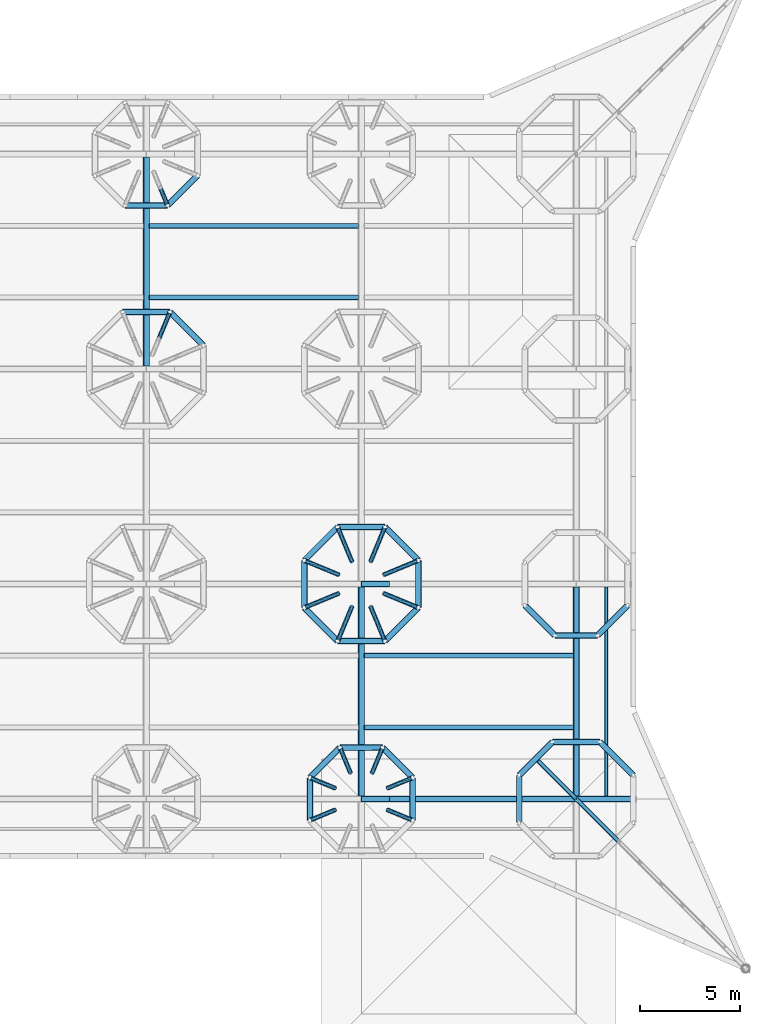
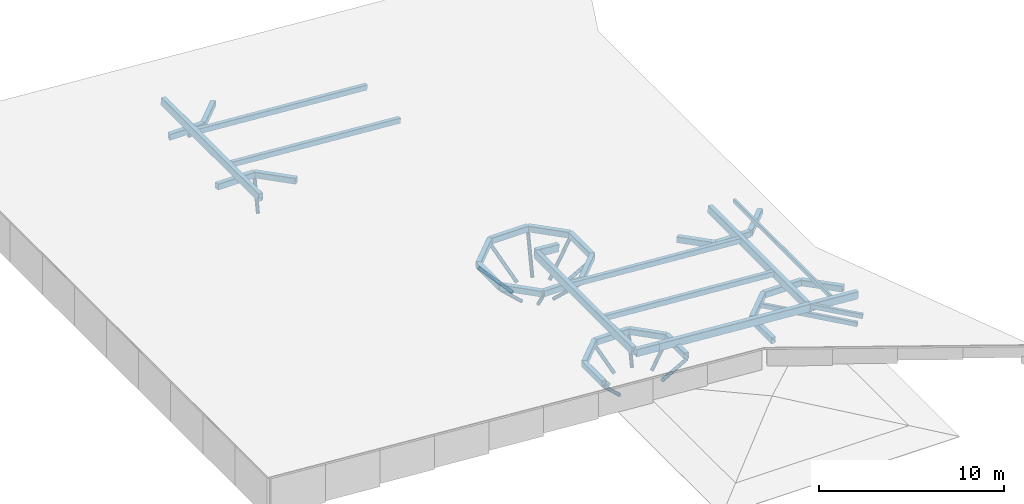
# One storey, part 39 of 95: 36 beams, 18 members.
"""IFC4 building model written with IfcOpenShell, lengths in metres."""

from ifc_helpers import new_model, si_unit, direction, frame, origin, origin_2d, place, context, subcontext, project, spatial, hollow_rectangle, hollow_circle, extrude, clip, halfspace, material, material_profile, profile_set, type_object, element, save


model = new_model("IFC4")

# Units and contexts
model_context = context("Model", 3, precision=1e-05, world=origin(), true_north=direction((0.0, 1.0)))
body_context = subcontext(model_context, "Body", "Model", "MODEL_VIEW")
ifc_project = project(units=[si_unit("LENGTHUNIT", "METRE"), si_unit("AREAUNIT", "SQUARE_METRE"), si_unit("VOLUMEUNIT", "CUBIC_METRE"), si_unit("PLANEANGLEUNIT", "RADIAN"), si_unit("MASSUNIT", "GRAM", prefix="KILO")], contexts=[model_context])

# Site, building, storey
site_placement = place(None, origin())
site = spatial("IfcSite", under=ifc_project, at=site_placement, CompositionType="ELEMENT")
building_placement = place(site_placement, origin())
building = spatial("IfcBuilding", under=site, at=building_placement, Name="Magnolia Steps Interchange", CompositionType="ELEMENT")
storey_placement = place(building_placement, frame((0.0, 0.0, 4.800048828125)))
storey = spatial("IfcBuildingStorey", under=building, at=storey_placement, Name="L01", CompositionType="ELEMENT", Elevation=4.800048828125)

# Beams
ifc_material_1 = material(Name="Steel Q355B", Category="steel")
ifc_material_profile_1 = material_profile(ifc_material_1, hollow_rectangle(XDim=0.300048828125, YDim=0.39990234375, WallThickness=0.013916015625, InnerFilletRadius=0.013916015625, OuterFilletRadius=0.028076171875, at=origin_2d()), Name="RHS400x300x14")
ifc_profile_set_1 = profile_set([ifc_material_profile_1], Name="Steel Q355B")
beam_type_1 = type_object("IfcBeamType", Name="Ring beam RHS400x300x14", PredefinedType="BEAM", material=ifc_profile_set_1)
beam_1_placement = place(storey_placement, frame((164.06396484375, 65.186279296875, 2.543701171875), z_axis=(-0.707106781187, 0.707106781187, 0.0), x_axis=(-0.707106781187, -0.707106781187, 0.0)))
element("IfcBeam", 1, at=beam_1_placement, inside=storey, type_object=beam_type_1, Name="Ring beam TC02C", PredefinedType="BEAM", context=body_context, shape_type="Clipping", body=[
    clip(clip(extrude(hollow_rectangle(XDim=0.300048828125, YDim=0.39990234375, WallThickness=0.013916015625, InnerFilletRadius=0.013916015625, OuterFilletRadius=0.028076171875, at=origin_2d()), origin(), (0.0, 0.0, 1.0), 2.37255859375), halfspace(frame((0.0, 0.0, 0.0), z_axis=(0.382683433, 0.0, -0.923879532), x_axis=(0.923879532, 0.0, 0.382683433)), False)), halfspace(frame((0.0, 0.0, 2.372674707), z_axis=(0.382683433, 0.0, 0.923879532), x_axis=(0.923879532, 0.0, -0.382683433)), False)),
])
beam_2_placement = place(storey_placement, frame((162.38623046875, 66.864013671875, 2.543701171875), z_axis=(-1.0, 0.0, 0.0), x_axis=(0.0, -1.0, 0.0)))
element("IfcBeam", 2, at=beam_2_placement, inside=storey, type_object=beam_type_1, Name="Ring beam TC02C", PredefinedType="BEAM", context=body_context, shape_type="Clipping", body=[
    clip(clip(extrude(hollow_rectangle(XDim=0.300048828125, YDim=0.39990234375, WallThickness=0.013916015625, InnerFilletRadius=0.013916015625, OuterFilletRadius=0.028076171875, at=origin_2d()), origin(), (0.0, 0.0, 1.0), 2.37255859375), halfspace(frame((0.0, 0.0, 0.0), z_axis=(0.382683432, 0.0, -0.923879533), x_axis=(0.923879533, 0.0, 0.382683432)), False)), halfspace(frame((0.0, 0.0, 2.372558594), z_axis=(0.382683432, 0.0, 0.923879533), x_axis=(0.923879533, 0.0, -0.382683432)), False)),
])
beam_3_placement = place(storey_placement, frame((160.13134765625, 72.219970703125, 2.543701171875), z_axis=(1.0, 0.0, 0.0), x_axis=(0.0, 1.0, 0.0)))
element("IfcBeam", 3, at=beam_3_placement, inside=storey, type_object=beam_type_1, Name="Ring beam TC02D", PredefinedType="BEAM", context=body_context, shape_type="Clipping", body=[
    clip(clip(extrude(hollow_rectangle(XDim=0.300048828125, YDim=0.39990234375, WallThickness=0.013916015625, InnerFilletRadius=0.013916015625, OuterFilletRadius=0.028076171875, at=origin_2d()), origin(), (0.0, 0.0, 1.0), 2.137451171875), halfspace(frame((0.0, 0.0, 0.0), z_axis=(0.382683432, 0.0, -0.923879533), x_axis=(0.923879533, 0.0, 0.382683432)), False)), halfspace(frame((0.0, 0.0, 2.137451172), z_axis=(0.382683432, 0.0, 0.923879533), x_axis=(0.923879533, 0.0, -0.382683432)), False)),
])
beam_4_placement = place(storey_placement, frame((162.268798828125, 72.219970703125, 2.543701171875), z_axis=(0.707106781187, 0.707106781187, 0.0), x_axis=(-0.707106781187, 0.707106781187, 0.0)))
element("IfcBeam", 4, at=beam_4_placement, inside=storey, type_object=beam_type_1, Name="Ring beam TC02D", PredefinedType="BEAM", context=body_context, shape_type="Clipping", body=[
    clip(clip(extrude(hollow_rectangle(XDim=0.300048828125, YDim=0.39990234375, WallThickness=0.013916015625, InnerFilletRadius=0.013916015625, OuterFilletRadius=0.028076171875, at=origin_2d()), origin(), (0.0, 0.0, 1.0), 2.13720703125), halfspace(frame((0.0, 0.0, 0.0), z_axis=(0.382683433, 0.0, -0.923879532), x_axis=(0.923879532, 0.0, 0.382683433)), False)), halfspace(frame((0.0, 0.0, 2.137202625), z_axis=(0.382683433, 0.0, 0.923879532), x_axis=(0.923879532, 0.0, -0.382683433)), False)),
])
beam_5_placement = place(storey_placement, frame((174.580078125, 43.46875, 1.756103515625), z_axis=(-0.707163891131, 0.707049666629, 0.0), x_axis=(-0.707049666629, -0.707163891131, 0.0)))
element("IfcBeam", 5, at=beam_5_placement, inside=storey, type_object=beam_type_1, Name="Ring beam TC03A", PredefinedType="BEAM", context=body_context, shape_type="Clipping", body=[
    clip(clip(extrude(hollow_rectangle(XDim=0.300048828125, YDim=0.39990234375, WallThickness=0.013916015625, InnerFilletRadius=0.013916015625, OuterFilletRadius=0.028076171875, at=origin_2d()), origin(), (0.0, 0.0, 1.0), 2.137451171875), halfspace(frame((0.0, 0.0, 0.0), z_axis=(0.382758052, 0.0, -0.92384862), x_axis=(0.923848621, 0.0, 0.382758052)), False)), halfspace(frame((0.0, 0.0, 2.137375265), z_axis=(0.382608811, 0.0, 0.923910438), x_axis=(0.923910438, 0.0, -0.382608811)), False)),
])
beam_6_placement = place(storey_placement, frame((173.068603515625, 44.97998046875, 1.756103515625), z_axis=(-1.0, 0.0, 0.0), x_axis=(0.0, -1.0, 0.0)))
element("IfcBeam", 6, at=beam_6_placement, inside=storey, type_object=beam_type_1, Name="Ring beam TC03A", PredefinedType="BEAM", context=body_context, shape_type="Clipping", body=[
    clip(clip(extrude(hollow_rectangle(XDim=0.300048828125, YDim=0.39990234375, WallThickness=0.013916015625, InnerFilletRadius=0.013916015625, OuterFilletRadius=0.028076171875, at=origin_2d()), origin(), (0.0, 0.0, 1.0), 2.13720703125), halfspace(frame((0.0, 0.0, 0.0), z_axis=(0.382683432, 0.0, -0.923879533), x_axis=(0.923879533, 0.0, 0.382683432)), False)), halfspace(frame((0.0, 0.0, 2.137207031), z_axis=(0.382683432, 0.0, 0.923879533), x_axis=(0.923879533, 0.0, -0.382683432)), False)),
])
beam_7_placement = place(storey_placement, frame((170.931396484375, 44.97998046875, 1.756103515625), z_axis=(-0.707163891131, -0.707049666629, 0.0), x_axis=(0.707049666629, -0.707163891131, 0.0)))
element("IfcBeam", 7, at=beam_7_placement, inside=storey, type_object=beam_type_1, Name="Ring beam TC03A", PredefinedType="BEAM", context=body_context, shape_type="Clipping", body=[
    clip(clip(extrude(hollow_rectangle(XDim=0.300048828125, YDim=0.39990234375, WallThickness=0.013916015625, InnerFilletRadius=0.013916015625, OuterFilletRadius=0.028076171875, at=origin_2d()), origin(), (0.0, 0.0, 1.0), 2.137451171875), halfspace(frame((0.0, 0.0, 0.0), z_axis=(0.382608811, 0.0, -0.923910438), x_axis=(0.923910438, 0.0, 0.382608811)), False)), halfspace(frame((0.0, 0.0, 2.137375265), z_axis=(0.382758052, 0.0, 0.92384862), x_axis=(0.923848621, 0.0, -0.382758052)), False)),
])
for number, where, z_axis, x_axis, name in (
    (8, (169.419921875, 43.46875, 1.756103515625), (0.0, -1.0, 0.0), (1.0, 0.0, 0.0), "Ring beam TC03A"),
    (9, (174.580078125, 41.331298828125, 1.756103515625), (0.0, 1.0, 0.0), (-1.0, 0.0, 0.0), "Ring beam TC03A"),
):
    element("IfcBeam", number, at=place(storey_placement, frame(where, z_axis=z_axis, x_axis=x_axis)), inside=storey, type_object=beam_type_1, Name=name, PredefinedType="BEAM", context=body_context, shape_type="Clipping", body=[
        clip(clip(extrude(hollow_rectangle(XDim=0.300048828125, YDim=0.39990234375, WallThickness=0.013916015625, InnerFilletRadius=0.013916015625, OuterFilletRadius=0.028076171875, at=origin_2d()), origin(), (0.0, 0.0, 1.0), 2.137451171875), halfspace(frame((0.0, 0.0, 0.0), z_axis=(0.382683432, 0.0, -0.923879533), x_axis=(0.923879533, 0.0, 0.382683432)), False)), halfspace(frame((0.0, 0.0, 2.137451172), z_axis=(0.382683432, 0.0, 0.923879533), x_axis=(0.923879533, 0.0, -0.382683432)), False)),
    ])
beam_8_placement = place(storey_placement, frame((174.864013671875, 54.38623046875, 1.756103515625), z_axis=(-0.707106781187, 0.707106781187, 0.0), x_axis=(-0.707106781187, -0.707106781187, 0.0)))
element("IfcBeam", 10, at=beam_8_placement, inside=storey, type_object=beam_type_1, Name="Ring beam TC03B", PredefinedType="BEAM", context=body_context, shape_type="Clipping", body=[
    clip(clip(extrude(hollow_rectangle(XDim=0.300048828125, YDim=0.39990234375, WallThickness=0.013916015625, InnerFilletRadius=0.013916015625, OuterFilletRadius=0.028076171875, at=origin_2d()), origin(), (0.0, 0.0, 1.0), 2.37255859375), halfspace(frame((0.0, 0.0, 0.0), z_axis=(0.382683433, 0.0, -0.923879532), x_axis=(0.923879532, 0.0, 0.382683433)), False)), halfspace(frame((0.0, 0.0, 2.372674707), z_axis=(0.382683433, 0.0, 0.923879532), x_axis=(0.923879532, 0.0, -0.382683433)), False)),
])
beam_9_placement = place(storey_placement, frame((173.186279296875, 56.06396484375, 1.756103515625), z_axis=(-1.0, 0.0, 0.0), x_axis=(0.0, -1.0, 0.0)))
element("IfcBeam", 11, at=beam_9_placement, inside=storey, type_object=beam_type_1, Name="Ring beam TC03B", PredefinedType="BEAM", context=body_context, shape_type="Clipping", body=[
    clip(clip(extrude(hollow_rectangle(XDim=0.300048828125, YDim=0.39990234375, WallThickness=0.013916015625, InnerFilletRadius=0.013916015625, OuterFilletRadius=0.028076171875, at=origin_2d()), origin(), (0.0, 0.0, 1.0), 2.37255859375), halfspace(frame((0.0, 0.0, 0.0), z_axis=(0.382683432, 0.0, -0.923879533), x_axis=(0.923879533, 0.0, 0.382683432)), False)), halfspace(frame((0.0, 0.0, 2.372558594), z_axis=(0.382683432, 0.0, 0.923879533), x_axis=(0.923879533, 0.0, -0.382683432)), False)),
])
beam_10_placement = place(storey_placement, frame((170.813720703125, 56.06396484375, 1.756103515625), z_axis=(-0.707106781187, -0.707106781187, 0.0), x_axis=(0.707106781187, -0.707106781187, 0.0)))
element("IfcBeam", 12, at=beam_10_placement, inside=storey, type_object=beam_type_1, Name="Ring beam TC03B", PredefinedType="BEAM", context=body_context, shape_type="Clipping", body=[
    clip(clip(extrude(hollow_rectangle(XDim=0.300048828125, YDim=0.39990234375, WallThickness=0.013916015625, InnerFilletRadius=0.013916015625, OuterFilletRadius=0.028076171875, at=origin_2d()), origin(), (0.0, 0.0, 1.0), 2.37255859375), halfspace(frame((0.0, 0.0, 0.0), z_axis=(0.382683433, 0.0, -0.923879532), x_axis=(0.923879532, 0.0, 0.382683433)), False)), halfspace(frame((0.0, 0.0, 2.372674707), z_axis=(0.382683433, 0.0, 0.923879532), x_axis=(0.923879532, 0.0, -0.382683433)), False)),
])
beam_11_placement = place(storey_placement, frame((169.135986328125, 54.38623046875, 1.756103515625), z_axis=(0.0, -1.0, 0.0), x_axis=(1.0, 0.0, 0.0)))
element("IfcBeam", 13, at=beam_11_placement, inside=storey, type_object=beam_type_1, Name="Ring beam TC03B", PredefinedType="BEAM", context=body_context, shape_type="Clipping", body=[
    clip(clip(extrude(hollow_rectangle(XDim=0.300048828125, YDim=0.39990234375, WallThickness=0.013916015625, InnerFilletRadius=0.013916015625, OuterFilletRadius=0.028076171875, at=origin_2d()), origin(), (0.0, 0.0, 1.0), 2.37255859375), halfspace(frame((0.0, 0.0, 0.0), z_axis=(0.382683432, 0.0, -0.923879533), x_axis=(0.923879533, 0.0, 0.382683432)), False)), halfspace(frame((0.0, 0.0, 2.372558594), z_axis=(0.382683432, 0.0, 0.923879533), x_axis=(0.923879533, 0.0, -0.382683432)), False)),
])
beam_12_placement = place(storey_placement, frame((169.135986328125, 52.013671875, 1.756103515625), z_axis=(0.707106781187, -0.707106781187, 0.0), x_axis=(0.707106781187, 0.707106781187, 0.0)))
element("IfcBeam", 14, at=beam_12_placement, inside=storey, type_object=beam_type_1, Name="Ring beam TC03B", PredefinedType="BEAM", context=body_context, shape_type="Clipping", body=[
    clip(clip(extrude(hollow_rectangle(XDim=0.300048828125, YDim=0.39990234375, WallThickness=0.013916015625, InnerFilletRadius=0.013916015625, OuterFilletRadius=0.028076171875, at=origin_2d()), origin(), (0.0, 0.0, 1.0), 2.37255859375), halfspace(frame((0.0, 0.0, 0.0), z_axis=(0.382683433, 0.0, -0.923879532), x_axis=(0.923879532, 0.0, 0.382683433)), False)), halfspace(frame((0.0, 0.0, 2.372674707), z_axis=(0.382683433, 0.0, 0.923879532), x_axis=(0.923879532, 0.0, -0.382683433)), False)),
])
beam_13_placement = place(storey_placement, frame((170.813720703125, 50.3359375, 1.756103515625), z_axis=(1.0, 0.0, 0.0), x_axis=(0.0, 1.0, 0.0)))
element("IfcBeam", 15, at=beam_13_placement, inside=storey, type_object=beam_type_1, Name="Ring beam TC03B", PredefinedType="BEAM", context=body_context, shape_type="Clipping", body=[
    clip(clip(extrude(hollow_rectangle(XDim=0.300048828125, YDim=0.39990234375, WallThickness=0.013916015625, InnerFilletRadius=0.013916015625, OuterFilletRadius=0.028076171875, at=origin_2d()), origin(), (0.0, 0.0, 1.0), 2.37255859375), halfspace(frame((0.0, 0.0, 0.0), z_axis=(0.382683432, 0.0, -0.923879533), x_axis=(0.923879533, 0.0, 0.382683432)), False)), halfspace(frame((0.0, 0.0, 2.372558594), z_axis=(0.382683432, 0.0, 0.923879533), x_axis=(0.923879533, 0.0, -0.382683432)), False)),
])
beam_14_placement = place(storey_placement, frame((173.186279296875, 50.3359375, 1.756103515625), z_axis=(0.707106781187, 0.707106781187, 0.0), x_axis=(-0.707106781187, 0.707106781187, 0.0)))
element("IfcBeam", 16, at=beam_14_placement, inside=storey, type_object=beam_type_1, Name="Ring beam TC03B", PredefinedType="BEAM", context=body_context, shape_type="Clipping", body=[
    clip(clip(extrude(hollow_rectangle(XDim=0.300048828125, YDim=0.39990234375, WallThickness=0.013916015625, InnerFilletRadius=0.013916015625, OuterFilletRadius=0.028076171875, at=origin_2d()), origin(), (0.0, 0.0, 1.0), 2.37255859375), halfspace(frame((0.0, 0.0, 0.0), z_axis=(0.382683433, 0.0, -0.923879532), x_axis=(0.923879532, 0.0, 0.382683433)), False)), halfspace(frame((0.0, 0.0, 2.372674707), z_axis=(0.382683433, 0.0, 0.923879532), x_axis=(0.923879532, 0.0, -0.382683433)), False)),
])
beam_15_placement = place(storey_placement, frame((174.864013671875, 52.013671875, 1.756103515625), z_axis=(0.0, 1.0, 0.0), x_axis=(-1.0, 0.0, 0.0)))
element("IfcBeam", 17, at=beam_15_placement, inside=storey, type_object=beam_type_1, Name="Ring beam TC03B", PredefinedType="BEAM", context=body_context, shape_type="Clipping", body=[
    clip(clip(extrude(hollow_rectangle(XDim=0.300048828125, YDim=0.39990234375, WallThickness=0.013916015625, InnerFilletRadius=0.013916015625, OuterFilletRadius=0.028076171875, at=origin_2d()), origin(), (0.0, 0.0, 1.0), 2.37255859375), halfspace(frame((0.0, 0.0, 0.0), z_axis=(0.382683432, 0.0, -0.923879533), x_axis=(0.923879533, 0.0, 0.382683432)), False)), halfspace(frame((0.0, 0.0, 2.372558594), z_axis=(0.382683432, 0.0, 0.923879533), x_axis=(0.923879533, 0.0, -0.382683432)), False)),
])
beam_16_placement = place(storey_placement, frame((185.6640625, 43.586181640625, 0.96875), z_axis=(-0.707106781187, 0.707106781187, 0.0), x_axis=(-0.707106781187, -0.707106781187, 0.0)))
element("IfcBeam", 18, at=beam_16_placement, inside=storey, type_object=beam_type_1, Name="Ring beam TC04A", PredefinedType="BEAM", context=body_context, shape_type="Clipping", body=[
    clip(clip(extrude(hollow_rectangle(XDim=0.300048828125, YDim=0.39990234375, WallThickness=0.013916015625, InnerFilletRadius=0.013916015625, OuterFilletRadius=0.028076171875, at=origin_2d()), origin(), (0.0, 0.0, 1.0), 2.37255859375), halfspace(frame((0.0, 0.0, 0.0), z_axis=(0.382683433, 0.0, -0.923879532), x_axis=(0.923879532, 0.0, 0.382683433)), False)), halfspace(frame((0.0, 0.0, 2.372674707), z_axis=(0.382683433, 0.0, 0.923879532), x_axis=(0.923879532, 0.0, -0.382683433)), False)),
])
beam_17_placement = place(storey_placement, frame((183.986328125, 45.263916015625, 0.96875), z_axis=(-1.0, 0.0, 0.0), x_axis=(0.0, -1.0, 0.0)))
element("IfcBeam", 19, at=beam_17_placement, inside=storey, type_object=beam_type_1, Name="Ring beam TC04A", PredefinedType="BEAM", context=body_context, shape_type="Clipping", body=[
    clip(clip(extrude(hollow_rectangle(XDim=0.300048828125, YDim=0.39990234375, WallThickness=0.013916015625, InnerFilletRadius=0.013916015625, OuterFilletRadius=0.028076171875, at=origin_2d()), origin(), (0.0, 0.0, 1.0), 2.37255859375), halfspace(frame((0.0, 0.0, 0.0), z_axis=(0.382683432, 0.0, -0.923879533), x_axis=(0.923879533, 0.0, 0.382683432)), False)), halfspace(frame((0.0, 0.0, 2.372558594), z_axis=(0.382683432, 0.0, 0.923879533), x_axis=(0.923879533, 0.0, -0.382683432)), False)),
])
beam_18_placement = place(storey_placement, frame((181.61376953125, 45.263916015625, 0.96875), z_axis=(-0.707106781187, -0.707106781187, 0.0), x_axis=(0.707106781187, -0.707106781187, 0.0)))
element("IfcBeam", 20, at=beam_18_placement, inside=storey, type_object=beam_type_1, Name="Ring beam TC04A", PredefinedType="BEAM", context=body_context, shape_type="Clipping", body=[
    clip(clip(extrude(hollow_rectangle(XDim=0.300048828125, YDim=0.39990234375, WallThickness=0.013916015625, InnerFilletRadius=0.013916015625, OuterFilletRadius=0.028076171875, at=origin_2d()), origin(), (0.0, 0.0, 1.0), 2.37255859375), halfspace(frame((0.0, 0.0, 0.0), z_axis=(0.382683433, 0.0, -0.923879532), x_axis=(0.923879532, 0.0, 0.382683433)), False)), halfspace(frame((0.0, 0.0, 2.372674707), z_axis=(0.382683433, 0.0, 0.923879532), x_axis=(0.923879532, 0.0, -0.382683433)), False)),
])
beam_19_placement = place(storey_placement, frame((179.93603515625, 43.586181640625, 0.96875), z_axis=(0.0, -1.0, 0.0), x_axis=(1.0, 0.0, 0.0)))
element("IfcBeam", 21, at=beam_19_placement, inside=storey, type_object=beam_type_1, Name="Ring beam TC04A", PredefinedType="BEAM", context=body_context, shape_type="Clipping", body=[
    clip(clip(extrude(hollow_rectangle(XDim=0.300048828125, YDim=0.39990234375, WallThickness=0.013916015625, InnerFilletRadius=0.013916015625, OuterFilletRadius=0.028076171875, at=origin_2d()), origin(), (0.0, 0.0, 1.0), 2.37255859375), halfspace(frame((0.0, 0.0, 0.0), z_axis=(0.382683432, 0.0, -0.923879533), x_axis=(0.923879533, 0.0, 0.382683432)), False)), halfspace(frame((0.0, 0.0, 2.372558594), z_axis=(0.382683432, 0.0, 0.923879533), x_axis=(0.923879533, 0.0, -0.382683432)), False)),
])
beam_20_placement = place(storey_placement, frame((180.219970703125, 52.13134765625, 0.96875), z_axis=(0.707106781187, -0.707106781187, 0.0), x_axis=(0.707106781187, 0.707106781187, 0.0)))
element("IfcBeam", 22, at=beam_20_placement, inside=storey, type_object=beam_type_1, Name="Ring beam TC04B", PredefinedType="BEAM", context=body_context, shape_type="Clipping", body=[
    clip(clip(extrude(hollow_rectangle(XDim=0.300048828125, YDim=0.39990234375, WallThickness=0.013916015625, InnerFilletRadius=0.013916015625, OuterFilletRadius=0.028076171875, at=origin_2d()), origin(), (0.0, 0.0, 1.0), 2.13720703125), halfspace(frame((0.0, 0.0, 0.0), z_axis=(0.382683433, 0.0, -0.923879532), x_axis=(0.923879532, 0.0, 0.382683433)), False)), halfspace(frame((0.0, 0.0, 2.137202625), z_axis=(0.382683433, 0.0, 0.923879532), x_axis=(0.923879532, 0.0, -0.382683433)), False)),
])
beam_21_placement = place(storey_placement, frame((181.731201171875, 50.6201171875, 0.96875), z_axis=(1.0, 0.0, 0.0), x_axis=(0.0, 1.0, 0.0)))
element("IfcBeam", 23, at=beam_21_placement, inside=storey, type_object=beam_type_1, Name="Ring beam TC04B", PredefinedType="BEAM", context=body_context, shape_type="Clipping", body=[
    clip(clip(extrude(hollow_rectangle(XDim=0.300048828125, YDim=0.39990234375, WallThickness=0.013916015625, InnerFilletRadius=0.013916015625, OuterFilletRadius=0.028076171875, at=origin_2d()), origin(), (0.0, 0.0, 1.0), 2.137451171875), halfspace(frame((0.0, 0.0, 0.0), z_axis=(0.382683432, 0.0, -0.923879533), x_axis=(0.923879533, 0.0, 0.382683432)), False)), halfspace(frame((0.0, 0.0, 2.137451172), z_axis=(0.382683432, 0.0, 0.923879533), x_axis=(0.923879533, 0.0, -0.382683432)), False)),
])
beam_22_placement = place(storey_placement, frame((183.86865234375, 50.6201171875, 0.96875), z_axis=(0.707106781187, 0.707106781187, 0.0), x_axis=(-0.707106781187, 0.707106781187, 0.0)))
element("IfcBeam", 24, at=beam_22_placement, inside=storey, type_object=beam_type_1, Name="Ring beam TC04B", PredefinedType="BEAM", context=body_context, shape_type="Clipping", body=[
    clip(clip(extrude(hollow_rectangle(XDim=0.300048828125, YDim=0.39990234375, WallThickness=0.013916015625, InnerFilletRadius=0.013916015625, OuterFilletRadius=0.028076171875, at=origin_2d()), origin(), (0.0, 0.0, 1.0), 2.13720703125), halfspace(frame((0.0, 0.0, 0.0), z_axis=(0.382683433, 0.0, -0.923879532), x_axis=(0.923879532, 0.0, 0.382683433)), False)), halfspace(frame((0.0, 0.0, 2.137202625), z_axis=(0.382683433, 0.0, 0.923879532), x_axis=(0.923879532, 0.0, -0.382683433)), False)),
])
ifc_material_2 = material(Name="Steel Q355B", Category="steel")
ifc_material_profile_2 = material_profile(ifc_material_2, hollow_rectangle(XDim=0.300048828125, YDim=0.5, WallThickness=0.01611328125, InnerFilletRadius=0.01611328125, OuterFilletRadius=0.031982421875, at=origin_2d()), Name="RHS500x300x16")
ifc_profile_set_2 = profile_set([ifc_material_profile_2], Name="Steel Q355B")
beam_type_2 = type_object("IfcBeamType", Name="Roof beam RHS500x300x16", PredefinedType="BEAM", material=ifc_profile_set_2)
beam_23_placement = place(storey_placement, frame((172.0, 42.39990234375, 2.25537109375), z_axis=(0.99734082034, 0.0, -0.072878584535), x_axis=(0.0, 1.0, 0.0)))
element("IfcBeam", 25, at=beam_23_placement, inside=storey, type_object=beam_type_2, Name="Roof beam", PredefinedType="BEAM", context=body_context, shape_type="SweptSolid", body=[
    extrude(hollow_rectangle(XDim=0.300048828125, YDim=0.5, WallThickness=0.01611328125, InnerFilletRadius=0.01611328125, OuterFilletRadius=0.031982421875, at=origin_2d()), origin(), (0.0, 0.0, 1.0), 1.403564453125),
])
beam_24_placement = place(storey_placement, frame((173.39990234375, 42.39990234375, 2.153076171875), z_axis=(0.997353092785, 0.0, -0.072710441562), x_axis=(0.0, 1.0, 0.0)))
element("IfcBeam", 26, at=beam_24_placement, inside=storey, type_object=beam_type_2, Name="Roof beam", PredefinedType="BEAM", context=body_context, shape_type="SweptSolid", body=[
    extrude(hollow_rectangle(XDim=0.300048828125, YDim=0.5, WallThickness=0.01611328125, InnerFilletRadius=0.01611328125, OuterFilletRadius=0.031982421875, at=origin_2d()), origin(), (0.0, 0.0, 1.0), 9.425048828125),
])
beam_25_placement = place(storey_placement, frame((182.800048828125, 42.39990234375, 1.4677734375), z_axis=(0.997352133906, 0.0, -0.072723593097), x_axis=(0.0, 1.0, 0.0)))
element("IfcBeam", 27, at=beam_25_placement, inside=storey, type_object=beam_type_2, Name="Roof beam", PredefinedType="BEAM", context=body_context, shape_type="SweptSolid", body=[
    extrude(hollow_rectangle(XDim=0.300048828125, YDim=0.5, WallThickness=0.01611328125, InnerFilletRadius=0.01611328125, OuterFilletRadius=0.031982421875, at=origin_2d()), origin(), (0.0, 0.0, 1.0), 3.008056640625),
])
beam_26_placement = place(storey_placement, frame((172.0, 53.199951171875, 2.25537109375), z_axis=(0.99734082034, 0.0, -0.072878584535), x_axis=(0.0, 1.0, 0.0)))
element("IfcBeam", 28, at=beam_26_placement, inside=storey, type_object=beam_type_2, Name="Roof beam", PredefinedType="BEAM", context=body_context, shape_type="SweptSolid", body=[
    extrude(hollow_rectangle(XDim=0.300048828125, YDim=0.5, WallThickness=0.01611328125, InnerFilletRadius=0.01611328125, OuterFilletRadius=0.031982421875, at=origin_2d()), origin(), (0.0, 0.0, 1.0), 1.403564453125),
])
for number, where, z_axis, x_axis, name in (
    (29, (161.199951171875, 64.14990234375, 3.042724609375), (0.0, 1.0, 0.0), (-0.997352109794, 0.0, 0.072723923782), "Roof beam"),
    (30, (172.0, 42.550048828125, 2.25537109375), (0.0, 1.0, 0.0), (-0.997352109794, 0.0, 0.072723923782), "Roof beam"),
    (31, (182.800048828125, 42.550048828125, 1.4677734375), (0.0, 1.0, 0.0), (-0.997352109794, 0.0, 0.072723923782), "Roof beam"),
):
    element("IfcBeam", number, at=place(storey_placement, frame(where, z_axis=z_axis, x_axis=x_axis)), inside=storey, type_object=beam_type_2, Name=name, PredefinedType="BEAM", context=body_context, shape_type="SweptSolid", body=[
        extrude(hollow_rectangle(XDim=0.300048828125, YDim=0.5, WallThickness=0.01611328125, InnerFilletRadius=0.01611328125, OuterFilletRadius=0.031982421875, at=origin_2d()), origin(), (0.0, 0.0, 1.0), 10.5),
    ])
ifc_material_3 = material(Name="Steel Q355B", Category="steel")
ifc_material_profile_3 = material_profile(ifc_material_3, hollow_rectangle(XDim=0.14990234375, YDim=0.25, WallThickness=0.008056640625, InnerFilletRadius=0.008056640625, OuterFilletRadius=0.01611328125, at=origin_2d()), Name="RHS250x150x8")
ifc_profile_set_3 = profile_set([ifc_material_profile_3], Name="Steel Q355B")
beam_type_3 = type_object("IfcBeamType", Name="Roof edge joist RHS250x150x8", PredefinedType="BEAM", material=ifc_profile_set_3)
beam_27_placement = place(storey_placement, frame((184.300048828125, 42.550048828125, 1.483642578125), z_axis=(0.0, 1.0, 0.0), x_axis=(-0.997352109794, 0.0, 0.072723923782)))
element("IfcBeam", 32, at=beam_27_placement, inside=storey, type_object=beam_type_3, Name="Roof edge joist", PredefinedType="BEAM", context=body_context, shape_type="SweptSolid", body=[
    extrude(hollow_rectangle(XDim=0.14990234375, YDim=0.25, WallThickness=0.008056640625, InnerFilletRadius=0.008056640625, OuterFilletRadius=0.01611328125, at=origin_2d()), origin(), (0.0, 0.0, 1.0), 10.5),
])
ifc_material_4 = material(Name="Steel Q355B", Category="steel")
ifc_material_profile_4 = material_profile(ifc_material_4, hollow_rectangle(XDim=0.25, YDim=0.35009765625, WallThickness=0.011962890625, InnerFilletRadius=0.011962890625, OuterFilletRadius=0.02392578125, at=origin_2d()), Name="RHS350x250x12")
ifc_profile_set_4 = profile_set([ifc_material_profile_4], Name="Steel Q355B")
beam_type_4 = type_object("IfcBeamType", Name="Roof joist RHS350x250x12", PredefinedType="BEAM", material=ifc_profile_set_4)
for number, where, z_axis, x_axis, name in (
    (33, (172.14990234375, 46.0, 2.3193359375), (0.997353815631, 0.0, -0.072700525763), (0.0, 1.0, 0.0), "Roof joist"),
    (34, (172.14990234375, 49.60009765625, 2.3193359375), (0.997353815631, 0.0, -0.072700525763), (0.0, 1.0, 0.0), "Roof joist"),
    (35, (161.35009765625, 67.60009765625, 3.10693359375), (0.997352133906, 0.0, -0.072723593097), (0.0, 1.0, 0.0), "Roof joist"),
    (36, (161.35009765625, 71.199951171875, 3.10693359375), (0.997352133906, 0.0, -0.072723593097), (0.0, 1.0, 0.0), "Roof joist"),
):
    element("IfcBeam", number, at=place(storey_placement, frame(where, z_axis=z_axis, x_axis=x_axis)), inside=storey, type_object=beam_type_4, Name=name, PredefinedType="BEAM", context=body_context, shape_type="SweptSolid", body=[
        extrude(hollow_rectangle(XDim=0.25, YDim=0.35009765625, WallThickness=0.011962890625, InnerFilletRadius=0.011962890625, OuterFilletRadius=0.02392578125, at=origin_2d()), origin(), (0.0, 0.0, 1.0), 10.52783203125),
    ])

# Members
ifc_material_5 = material(Name="Steel Q355B", Category="steel")
ifc_material_profile_5 = material_profile(ifc_material_5, hollow_rectangle(XDim=0.199951171875, YDim=0.300048828125, WallThickness=0.011962890625, InnerFilletRadius=0.011962890625, OuterFilletRadius=0.02392578125, at=origin_2d()), Name="RHS300x200x12")
ifc_profile_set_5 = profile_set([ifc_material_profile_5], Name="Steel Q355B")
member_type_1 = type_object("IfcMemberType", Name="Roof truss RHS300x200x12", PredefinedType="USERDEFINED", material=ifc_profile_set_5)
member_1_placement = place(storey_placement, frame((182.800048828125, 42.39990234375, 1.56787109375), z_axis=(0.706170197187, -0.706170197187, -0.051451969918), x_axis=(0.704300336597, 0.708042125736, -0.051355467605)))
element("IfcMember", 37, at=member_1_placement, inside=storey, type_object=member_type_1, Name="Spike truss SP-C-SE top chord", ObjectType="Roof truss", PredefinedType="USERDEFINED", context=body_context, shape_type="SweptSolid", body=[
    extrude(hollow_rectangle(XDim=0.199951171875, YDim=0.300048828125, WallThickness=0.011962890625, InnerFilletRadius=0.011962890625, OuterFilletRadius=0.02392578125, at=origin_2d()), origin(), (0.0, 0.0, 1.0), 3.017822265625),
])
member_2_placement = place(storey_placement, frame((180.880859375, 44.319091796875, 1.10791015625), z_axis=(0.706169284918, -0.706169284918, -0.051477005312), x_axis=(0.704299426261, 0.708043036072, -0.051355401261)))
element("IfcMember", 38, at=member_2_placement, inside=storey, type_object=member_type_1, Name="Spike truss SP-C-SE bottom chord", ObjectType="Roof truss", PredefinedType="USERDEFINED", context=body_context, shape_type="SweptSolid", body=[
    extrude(hollow_rectangle(XDim=0.199951171875, YDim=0.300048828125, WallThickness=0.011962890625, InnerFilletRadius=0.011962890625, OuterFilletRadius=0.02392578125, at=origin_2d()), origin(), (0.0, 0.0, 1.0), 5.43505859375),
])
ifc_material_6 = material(Name="Steel Q355B", Category="steel")
ifc_material_profile_6 = material_profile(ifc_material_6, hollow_circle(Radius=0.109619140625, WallThickness=0.010009765625, at=origin_2d()), Name="CHS219x10")
ifc_profile_set_6 = profile_set([ifc_material_profile_6], Name="Steel Q355B")
member_type_2 = type_object("IfcMemberType", Name="Tree rib CHS219x10", PredefinedType="USERDEFINED", material=ifc_profile_set_6)
member_3_placement = place(storey_placement, frame((161.82861328125, 65.517822265625, 0.9365234375), z_axis=(0.275271546718, 0.664556614974, 0.694687038214), x_axis=(-0.9238779676, 0.382687210373, 0.0)))
element("IfcMember", 39, at=member_3_placement, inside=storey, type_object=member_type_2, Name="Tree rib TC02C", ObjectType="TREE RIB", PredefinedType="USERDEFINED", context=body_context, shape_type="SweptSolid", body=[
    extrude(hollow_circle(Radius=0.109619140625, WallThickness=0.010009765625, at=origin_2d()), origin(), (0.0, 0.0, 1.0), 2.025634765625),
])
member_4_placement = place(storey_placement, frame((161.900634765625, 73.108154296875, 1.4150390625), z_axis=(0.275415878541, -0.664431675155, 0.694749338177), x_axis=(0.923781550934, 0.382919895219, 0.0)))
element("IfcMember", 40, at=member_4_placement, inside=storey, type_object=member_type_2, Name="Tree rib TC02D", ObjectType="TREE RIB", PredefinedType="USERDEFINED", context=body_context, shape_type="SweptSolid", body=[
    extrude(hollow_circle(Radius=0.109619140625, WallThickness=0.010009765625, at=origin_2d()), origin(), (0.0, 0.0, 1.0), 1.336669921875),
])
for number, where, z_axis, x_axis, name in (
    (41, (173.322998046875, 42.947998046875, 0.241943359375), (0.664519438523, 0.275280629708, 0.694719001275), (-0.382716262463, 0.923865933156, 0.0), "Tree rib TC03A"),
    (42, (172.5478515625, 43.722900390625, 0.241943359375), (0.275280629708, 0.664519438523, 0.694719001275), (-0.923865933156, 0.382716262463, 0.0), "Tree rib TC03A"),
    (43, (171.4521484375, 43.722900390625, 0.241943359375), (-0.275280629708, 0.664519438523, 0.694719001275), (-0.923865933156, -0.382716262463, 0.0), "Tree rib TC03A"),
    (44, (170.677001953125, 42.947998046875, 0.241943359375), (-0.664519438523, 0.275280629708, 0.694719001275), (-0.382716262463, -0.923865933156, 0.0), "Tree rib TC03A"),
    (45, (170.677001953125, 41.85205078125, 0.241943359375), (-0.664519438523, -0.275280629708, 0.694719001275), (0.382716262463, -0.923865933156, 0.0), "Tree rib TC03A"),
    (46, (173.322998046875, 41.85205078125, 0.241943359375), (0.664519438523, -0.275280629708, 0.694719001275), (0.382716262463, 0.923865933156, 0.0), "Tree rib TC03A"),
):
    element("IfcMember", number, at=place(storey_placement, frame(where, z_axis=z_axis, x_axis=x_axis)), inside=storey, type_object=member_type_2, Name=name, ObjectType="TREE RIB", PredefinedType="USERDEFINED", context=body_context, shape_type="SweptSolid", body=[
        extrude(hollow_circle(Radius=0.109619140625, WallThickness=0.010009765625, at=origin_2d()), origin(), (0.0, 0.0, 1.0), 1.8916015625),
    ])
for number, where, z_axis, x_axis, name in (
    (47, (173.14892578125, 53.67578125, -0.236572265625), (0.664576767411, 0.275290874472, 0.694660100085), (-0.382700239248, 0.923872570693, 0.0), "Tree rib TC03B"),
    (48, (172.475830078125, 54.348876953125, -0.236572265625), (0.275290874472, 0.664576767411, 0.694660100085), (-0.923872570693, 0.382700239248, 0.0), "Tree rib TC03B"),
    (49, (171.524169921875, 54.348876953125, -0.236572265625), (-0.275290874472, 0.664576767411, 0.694660100085), (-0.923872570693, -0.382700239248, 0.0), "Tree rib TC03B"),
    (50, (170.85107421875, 53.67578125, -0.236572265625), (-0.664576767411, 0.275290874472, 0.694660100085), (-0.382700239248, -0.923872570693, 0.0), "Tree rib TC03B"),
    (51, (170.85107421875, 52.72412109375, -0.236572265625), (-0.664576767411, -0.275290874472, 0.694660100085), (0.382700239248, -0.923872570693, 0.0), "Tree rib TC03B"),
    (52, (171.524169921875, 52.051025390625, -0.236572265625), (-0.275290874472, -0.664576767411, 0.694660100085), (0.923872570693, -0.382700239248, 0.0), "Tree rib TC03B"),
    (53, (172.475830078125, 52.051025390625, -0.236572265625), (0.275290874472, -0.664576767411, 0.694660100085), (0.923872570693, 0.382700239248, 0.0), "Tree rib TC03B"),
    (54, (173.14892578125, 52.72412109375, -0.236572265625), (0.664576767411, -0.275290874472, 0.694660100085), (0.382700239248, 0.923872570693, 0.0), "Tree rib TC03B"),
):
    element("IfcMember", number, at=place(storey_placement, frame(where, z_axis=z_axis, x_axis=x_axis)), inside=storey, type_object=member_type_2, Name=name, ObjectType="TREE RIB", PredefinedType="USERDEFINED", context=body_context, shape_type="SweptSolid", body=[
        extrude(hollow_circle(Radius=0.109619140625, WallThickness=0.010009765625, at=origin_2d()), origin(), (0.0, 0.0, 1.0), 2.580810546875),
    ])

save(model, "model.ifc")
